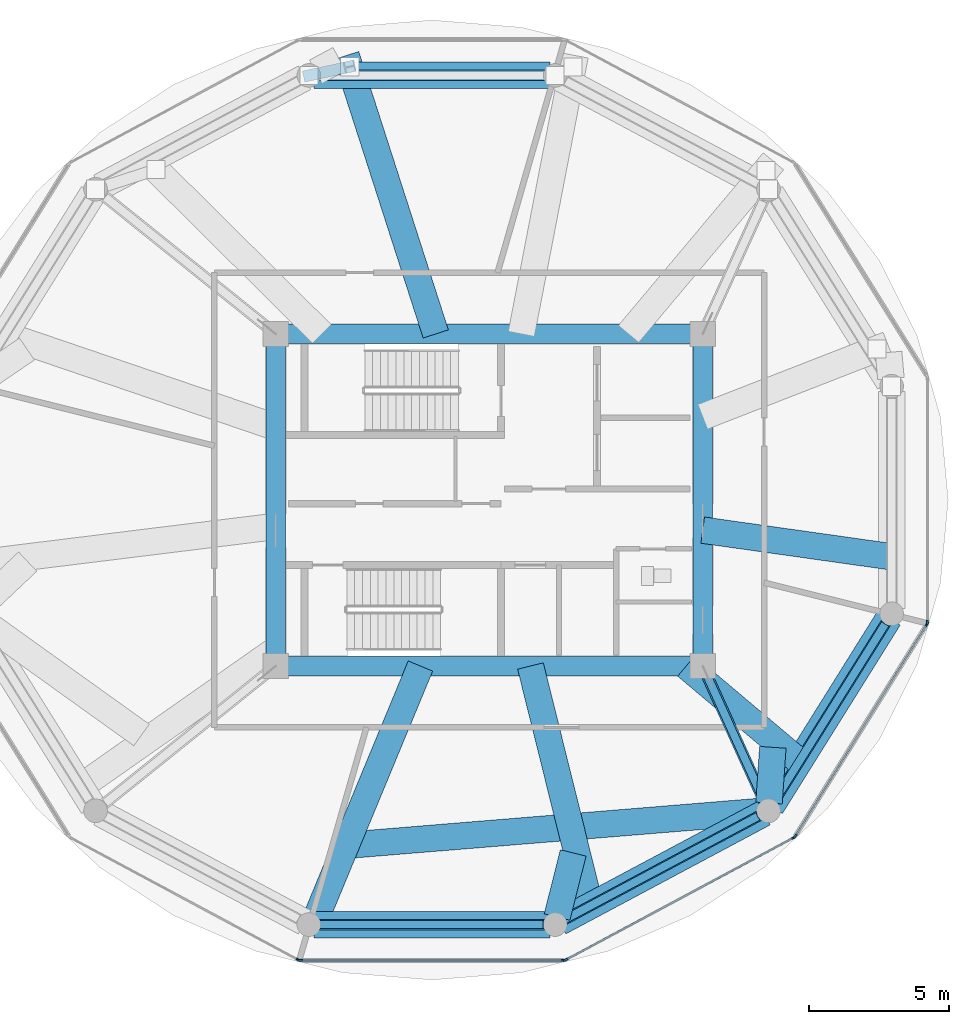
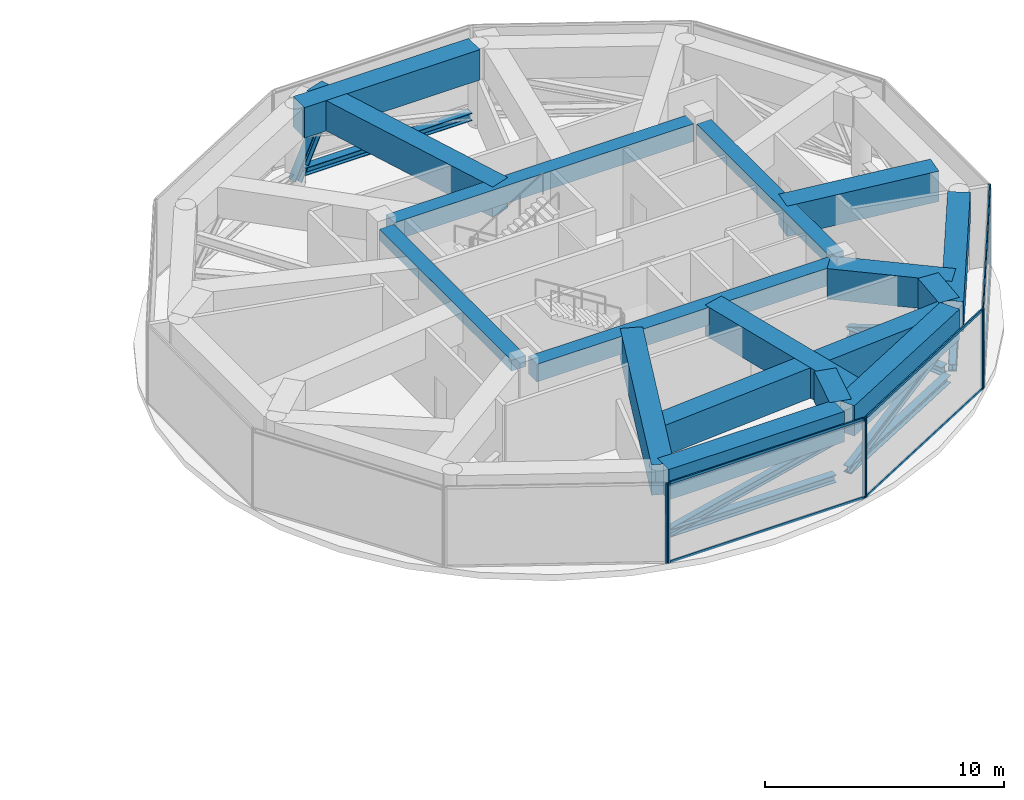
# One storey, part 10 of 23: 24 members, 16 beams, 5 elements without a shape of their own.
"""IFC4 building model written with IfcOpenShell, lengths in metres."""

from ifc_helpers import new_model, si_unit, direction, frame, origin, origin_2d, place, context, subcontext, project, spatial, rectangle, i_section, extrude, source, transform, mapped, material, layer, layer_set, material_profile, profile_set, type_object, type_shapes, element, aggregate, save


model = new_model("IFC4")

# Units and contexts
model_context = context("Model", 3, precision=1e-05, world=origin(), true_north=direction((0.0, 1.0)))
body_context = subcontext(model_context, "Body", "Model", "MODEL_VIEW")
ifc_project = project(units=[si_unit("LENGTHUNIT", "METRE"), si_unit("AREAUNIT", "SQUARE_METRE"), si_unit("VOLUMEUNIT", "CUBIC_METRE"), si_unit("PLANEANGLEUNIT", "RADIAN"), si_unit("MASSUNIT", "GRAM", prefix="KILO")], contexts=[model_context])

# Site, building, storey
site_placement = place(None, origin())
site = spatial("IfcSite", under=ifc_project, at=site_placement, CompositionType="ELEMENT")
building_placement = place(site_placement, origin())
building = spatial("IfcBuilding", under=site, at=building_placement, Name="Norrkilde Senior Care Towers", CompositionType="ELEMENT")
storey_placement = place(building_placement, frame((0.0, 0.0, 129.800048828125)))
storey = spatial("IfcBuildingStorey", under=building, at=storey_placement, Name="L40", CompositionType="ELEMENT", Elevation=129.800048828125)

# Beams
ifc_material_1 = material(Name="Concrete C60/75", Category="concrete")
ifc_material_profile_1 = material_profile(ifc_material_1, rectangle(XDim=0.699951171875, YDim=0.89990234375, at=origin_2d()), Name="RC BM 700x900")
ifc_profile_set_1 = profile_set([ifc_material_profile_1], Name="Concrete C60/75")
beam_type_1 = type_object("IfcBeamType", Name="Core Coupling Girder 700x900", PredefinedType="USERDEFINED", material=ifc_profile_set_1)
shared_shape_1 = source(origin(), body_context, "Body", "SweptSolid", [
    extrude(rectangle(XDim=0.699951171875, YDim=0.89990234375, at=origin_2d()), origin(), (0.0, 0.0, 1.0), 14.43994140625),
])
type_shapes(beam_type_1, [shared_shape_1])
for number, where, z_axis, x_axis, name in (
    (1, (20.780029296875, 5.949951171875, 3.6298828125), (1.0, 0.0, 0.0), (0.0, 1.0, 0.0), "L40 Core E N Coupling Girder"),
    (2, (20.780029296875, -5.949951171875, 3.6298828125), (1.0, 0.0, 0.0), (0.0, 1.0, 0.0), "L40 Core E S Coupling Girder"),
):
    element("IfcBeam", number, at=place(storey_placement, frame(where, z_axis=z_axis, x_axis=x_axis)), inside=storey, type_object=beam_type_1, Name=name, ObjectType="GIRDER", PredefinedType="USERDEFINED", context=body_context, shape_type="MappedRepresentation", body=[
        mapped(shared_shape_1, transform((0.0, 0.0, 0.0), x_axis=(1.0, 0.0, 0.0), y_axis=(0.0, 1.0, 0.0), z_axis=(0.0, 0.0, 1.0), scale=1.0)),
    ])
ifc_material_profile_2 = material_profile(ifc_material_1, rectangle(XDim=0.699951171875, YDim=0.550048828125, at=origin_2d()), Name="RC BM 700x550")
ifc_profile_set_2 = profile_set([ifc_material_profile_2], Name="Concrete C60/75")
beam_type_2 = type_object("IfcBeamType", Name="Core Portal Coupling Beam 700x550", PredefinedType="USERDEFINED", material=ifc_profile_set_2)
shared_shape_2 = source(origin(), body_context, "Body", "SweptSolid", [
    extrude(rectangle(XDim=0.699951171875, YDim=0.550048828125, at=origin_2d()), origin(), (0.0, 0.0, 1.0), 11.0400390625),
])
type_shapes(beam_type_2, [shared_shape_2])
for number, where, z_axis, x_axis, name in (
    (3, (20.35009765625, -5.52001953125, 3.804931640625), (0.0, 1.0, 0.0), (-1.0, 0.0, 0.0), "L40 Core E W Coupling Girder"),
    (4, (35.64990234375, -5.52001953125, 3.804931640625), (0.0, 1.0, 0.0), (-1.0, 0.0, 0.0), "L40 Core E E Coupling Girder"),
):
    element("IfcBeam", number, at=place(storey_placement, frame(where, z_axis=z_axis, x_axis=x_axis)), inside=storey, type_object=beam_type_2, Name=name, ObjectType="GIRDER", PredefinedType="USERDEFINED", context=body_context, shape_type="MappedRepresentation", body=[
        mapped(shared_shape_2, transform((0.0, 0.0, 0.0), x_axis=(1.0, 0.0, 0.0), y_axis=(0.0, 1.0, 0.0), z_axis=(0.0, 0.0, 1.0), scale=1.0)),
    ])
ifc_material_profile_3 = material_profile(ifc_material_1, rectangle(XDim=0.949951171875, YDim=1.550048828125, at=origin_2d()), Name="RC TG 950x1550")
ifc_profile_set_3 = profile_set([ifc_material_profile_3], Name="Concrete C60/75")
beam_type_3 = type_object("IfcBeamType", Name="Transfer Girder Zone Shift 950x1550", PredefinedType="USERDEFINED", material=ifc_profile_set_3)
shared_shape_3 = source(origin(), body_context, "Body", "SweptSolid", [
    extrude(rectangle(XDim=0.949951171875, YDim=1.550048828125, at=origin_2d()), origin(), (0.0, 0.0, 1.0), 8.302490234375),
])
beam_1_placement = place(storey_placement, frame((30.521728515625, -15.128662109375, 3.304931640625), z_axis=(0.882355383182, 0.470583656504, 0.0), x_axis=(-0.470583656504, 0.882355383182, 0.0)))
element("IfcBeam", 5, at=beam_1_placement, inside=storey, type_object=beam_type_3, Name="L40 Drum E Zone Ring Transfer Girder 10", ObjectType="GIRDER", PredefinedType="USERDEFINED", context=body_context, shape_type="MappedRepresentation", body=[
    mapped(shared_shape_3, transform((0.0, 0.0, 0.0), x_axis=(1.0, 0.0, 0.0), y_axis=(0.0, 1.0, 0.0), z_axis=(0.0, 0.0, 1.0), scale=1.0)),
])
shared_shape_4 = source(origin(), body_context, "Body", "SweptSolid", [
    extrude(rectangle(XDim=0.949951171875, YDim=1.550048828125, at=origin_2d()), origin(), (0.0, 0.0, 1.0), 8.4658203125),
])
for number, where, z_axis, x_axis, name in (
    (6, (30.182861328125, 15.21337890625, 3.304931640625), (-1.0, 0.0, 0.0), (0.0, -1.0, 0.0), "L40 Drum E Zone Ring Transfer Girder 03"),
    (7, (21.717041015625, -15.21337890625, 3.304931640625), (1.0, 0.0, 0.0), (0.0, 1.0, 0.0), "L40 Drum E Zone Ring Transfer Girder 09"),
):
    element("IfcBeam", number, at=place(storey_placement, frame(where, z_axis=z_axis, x_axis=x_axis)), inside=storey, type_object=beam_type_3, Name=name, ObjectType="GIRDER", PredefinedType="USERDEFINED", context=body_context, shape_type="MappedRepresentation", body=[
        mapped(shared_shape_4, transform((0.0, 0.0, 0.0), x_axis=(1.0, 0.0, 0.0), y_axis=(0.0, 1.0, 0.0), z_axis=(0.0, 0.0, 1.0), scale=1.0)),
    ])
shared_shape_5 = source(origin(), body_context, "Body", "SweptSolid", [
    extrude(rectangle(XDim=0.949951171875, YDim=1.550048828125, at=origin_2d()), origin(), (0.0, 0.0, 1.0), 7.96630859375),
])
beam_2_placement = place(storey_placement, frame((38.1015625, -10.984375, 3.304931640625), z_axis=(0.530004449515, 0.847994860535, 0.0), x_axis=(-0.847994860535, 0.530004449515, 0.0)))
element("IfcBeam", 8, at=beam_2_placement, inside=storey, type_object=beam_type_3, Name="L40 Drum E Zone Ring Transfer Girder 11", ObjectType="GIRDER", PredefinedType="USERDEFINED", context=body_context, shape_type="MappedRepresentation", body=[
    mapped(shared_shape_5, transform((0.0, 0.0, 0.0), x_axis=(1.0, 0.0, 0.0), y_axis=(0.0, 1.0, 0.0), z_axis=(0.0, 0.0, 1.0), scale=1.0)),
])
shared_shape_6 = source(origin(), body_context, "Body", "SweptSolid", [
    extrude(rectangle(XDim=0.949951171875, YDim=1.550048828125, at=origin_2d()), origin(), (0.0, 0.0, 1.0), 10.48046875),
])
beam_3_placement = place(storey_placement, frame((26.08447265625, 5.949951171875, 3.304931640625), z_axis=(-0.306441217665, 0.951889583994, 0.0), x_axis=(-0.951889583994, -0.306441217665, 0.0)))
element("IfcBeam", 9, at=beam_3_placement, inside=storey, type_object=beam_type_3, Name="L40 Drum E Zone Transfer Girder 04", ObjectType="GIRDER", PredefinedType="USERDEFINED", context=body_context, shape_type="MappedRepresentation", body=[
    mapped(shared_shape_6, transform((0.0, 0.0, 0.0), x_axis=(1.0, 0.0, 0.0), y_axis=(0.0, 1.0, 0.0), z_axis=(0.0, 0.0, 1.0), scale=1.0)),
])

# Member
ifc_material_2 = material(Name="Steel S355", Category="steel")
ifc_material_profile_4 = material_profile(ifc_material_2, i_section(OverallWidth=0.412109375, OverallDepth=0.449951171875, WebThickness=0.028076171875, FlangeThickness=0.044921875, FilletRadius=0.014892578125, at=origin_2d()), Name="HD 400x509")
ifc_profile_set_4 = profile_set([ifc_material_profile_4], Name="Steel S355")
member_type_1 = type_object("IfcMemberType", Name="Pratt Bridge Truss Diagonal HD400x509", PredefinedType="BRACE", material=ifc_profile_set_4)
shared_shape_7 = source(origin(), body_context, "Body", "SweptSolid", [
    extrude(i_section(OverallWidth=0.412109375, OverallDepth=0.449951171875, WebThickness=0.028076171875, FlangeThickness=0.044921875, FilletRadius=0.014892578125, at=origin_2d()), origin(), (0.0, 0.0, 1.0), 3.06982421875),
])
type_shapes(member_type_1, [shared_shape_7])
member_1_placement = place(storey_placement, frame((21.537109375, 15.21337890625, 0.14990234375), z_axis=(0.477003120663, 0.101953651332, 0.872968198652), x_axis=(-0.209016876779, 0.977912033478, 0.0)))
element("IfcMember", 10, at=member_1_placement, inside=storey, type_object=member_type_1, Name="L40 Drum E Zone Transfer Raking Strut 04", PredefinedType="BRACE", context=body_context, shape_type="MappedRepresentation", body=[
    mapped(shared_shape_7, transform((0.0, 0.0, 0.0), x_axis=(1.0, 0.0, 0.0), y_axis=(0.0, 1.0, 0.0), z_axis=(0.0, 0.0, 1.0), scale=1.0)),
])

# Beams
shared_shape_8 = source(origin(), body_context, "Body", "SweptSolid", [
    extrude(rectangle(XDim=0.949951171875, YDim=1.550048828125, at=origin_2d()), origin(), (0.0, 0.0, 1.0), 6.836181640625),
])
beam_4_placement = place(storey_placement, frame((35.64990234375, -1.079833984375, 3.304931640625), z_axis=(0.990187355889, -0.139746199365, 0.0), x_axis=(0.139746199365, 0.990187355889, 0.0)))
element("IfcBeam", 11, at=beam_4_placement, inside=storey, type_object=beam_type_3, Name="L40 Drum E Zone Transfer Girder 12", ObjectType="GIRDER", PredefinedType="USERDEFINED", context=body_context, shape_type="MappedRepresentation", body=[
    mapped(shared_shape_8, transform((0.0, 0.0, 0.0), x_axis=(1.0, 0.0, 0.0), y_axis=(0.0, 1.0, 0.0), z_axis=(0.0, 0.0, 1.0), scale=1.0)),
])
shared_shape_9 = source(origin(), body_context, "Body", "SweptSolid", [
    extrude(rectangle(XDim=0.949951171875, YDim=1.550048828125, at=origin_2d()), origin(), (0.0, 0.0, 1.0), 5.302001953125),
])
beam_5_placement = place(storey_placement, frame((35.058349609375, -5.949951171875, 3.304931640625), z_axis=(0.764555247577, -0.644558200167, 0.0), x_axis=(0.644558200167, 0.764555247577, 0.0)))
element("IfcBeam", 12, at=beam_5_placement, inside=storey, type_object=beam_type_3, Name="L40 Drum E Zone Transfer Girder 11", ObjectType="GIRDER", PredefinedType="USERDEFINED", context=body_context, shape_type="MappedRepresentation", body=[
    mapped(shared_shape_9, transform((0.0, 0.0, 0.0), x_axis=(1.0, 0.0, 0.0), y_axis=(0.0, 1.0, 0.0), z_axis=(0.0, 0.0, 1.0), scale=1.0)),
])
shared_shape_10 = source(origin(), body_context, "Body", "SweptSolid", [
    extrude(rectangle(XDim=0.949951171875, YDim=1.550048828125, at=origin_2d()), origin(), (0.0, 0.0, 1.0), 1.99951171875),
])
beam_6_placement = place(storey_placement, frame((38.163330078125, -8.863037109375, 3.304931640625), z_axis=(-0.068990670425, -0.99761730508, 0.0), x_axis=(0.99761730508, -0.068990670425, 0.0)))
element("IfcBeam", 13, at=beam_6_placement, inside=storey, type_object=beam_type_3, Name="L40 Drum E Zone Star Transfer Tie 11", ObjectType="GIRDER", PredefinedType="USERDEFINED", context=body_context, shape_type="MappedRepresentation", body=[
    mapped(shared_shape_10, transform((0.0, 0.0, 0.0), x_axis=(1.0, 0.0, 0.0), y_axis=(0.0, 1.0, 0.0), z_axis=(0.0, 0.0, 1.0), scale=1.0)),
])
shared_shape_11 = source(origin(), body_context, "Body", "SweptSolid", [
    extrude(rectangle(XDim=0.949951171875, YDim=1.550048828125, at=origin_2d()), origin(), (0.0, 0.0, 1.0), 8.8564453125),
])
beam_7_placement = place(storey_placement, frame((29.4794921875, -5.949951171875, 3.304931640625), z_axis=(0.241316026842, -0.970446585439, 0.0), x_axis=(0.970446585439, 0.241316026842, 0.0)))
element("IfcBeam", 14, at=beam_7_placement, inside=storey, type_object=beam_type_3, Name="L40 Drum E Zone Transfer Girder 10", ObjectType="GIRDER", PredefinedType="USERDEFINED", context=body_context, shape_type="MappedRepresentation", body=[
    mapped(shared_shape_11, transform((0.0, 0.0, 0.0), x_axis=(1.0, 0.0, 0.0), y_axis=(0.0, 1.0, 0.0), z_axis=(0.0, 0.0, 1.0), scale=1.0)),
])
shared_shape_12 = source(origin(), body_context, "Body", "SweptSolid", [
    extrude(rectangle(XDim=0.949951171875, YDim=1.550048828125, at=origin_2d()), origin(), (0.0, 0.0, 1.0), 2.366455078125),
])
beam_8_placement = place(storey_placement, frame((31.009033203125, -12.64697265625, 3.304931640625), z_axis=(-0.244185875604, -0.969728445574, 0.0), x_axis=(0.969728445574, -0.244185875604, 0.0)))
element("IfcBeam", 15, at=beam_8_placement, inside=storey, type_object=beam_type_3, Name="L40 Drum E Zone Star Transfer Tie 10", ObjectType="GIRDER", PredefinedType="USERDEFINED", context=body_context, shape_type="MappedRepresentation", body=[
    mapped(shared_shape_12, transform((0.0, 0.0, 0.0), x_axis=(1.0, 0.0, 0.0), y_axis=(0.0, 1.0, 0.0), z_axis=(0.0, 0.0, 1.0), scale=1.0)),
])
shared_shape_13 = source(origin(), body_context, "Body", "SweptSolid", [
    extrude(rectangle(XDim=0.949951171875, YDim=1.550048828125, at=origin_2d()), origin(), (0.0, 0.0, 1.0), 10.027099609375),
])
beam_9_placement = place(storey_placement, frame((25.534912109375, -5.949951171875, 3.304931640625), z_axis=(-0.382756062331, -0.923849444849, 0.0), x_axis=(0.923849444849, -0.382756062331, 0.0)))
element("IfcBeam", 16, at=beam_9_placement, inside=storey, type_object=beam_type_3, Name="L40 Drum E Zone Transfer Girder 09", ObjectType="GIRDER", PredefinedType="USERDEFINED", context=body_context, shape_type="MappedRepresentation", body=[
    mapped(shared_shape_13, transform((0.0, 0.0, 0.0), x_axis=(1.0, 0.0, 0.0), y_axis=(0.0, 1.0, 0.0), z_axis=(0.0, 0.0, 1.0), scale=1.0)),
])

# Members
ifc_material_profile_5 = material_profile(ifc_material_2, i_section(OverallWidth=0.300048828125, OverallDepth=0.39990234375, WebThickness=0.013427734375, FlangeThickness=0.02392578125, FilletRadius=0.027099609375, at=origin_2d()), Name="HEB 400")
ifc_profile_set_5 = profile_set([ifc_material_profile_5], Name="Steel S355")
member_type_2 = type_object("IfcMemberType", Name="Belt Truss Diagonal HEB400", PredefinedType="BRACE", material=ifc_profile_set_5)
shared_shape_14 = source(origin(), body_context, "Body", "SweptSolid", [
    extrude(i_section(OverallWidth=0.300048828125, OverallDepth=0.39990234375, WebThickness=0.013427734375, FlangeThickness=0.02392578125, FilletRadius=0.027099609375, at=origin_2d()), origin(), (0.0, 0.0, 1.0), 7.798828125),
])
member_2_placement = place(storey_placement, frame((38.210205078125, -10.810546875, 0.550048828125), z_axis=(0.513520239082, 0.821619860701, 0.247462660933), x_axis=(-0.847994673706, 0.530004748437, 0.0)))
element("IfcMember", 17, at=member_2_placement, inside=storey, type_object=member_type_2, Name="L40 Drum E Belt Truss Diagonal 11", PredefinedType="BRACE", context=body_context, shape_type="MappedRepresentation", body=[
    mapped(shared_shape_14, transform((0.0, 0.0, 0.0), x_axis=(1.0, 0.0, 0.0), y_axis=(0.0, 1.0, 0.0), z_axis=(0.0, 0.0, 1.0), scale=1.0)),
])
ifc_material_profile_6 = material_profile(ifc_material_2, i_section(OverallWidth=0.3740234375, OverallDepth=0.386962890625, WebThickness=0.01611328125, FlangeThickness=0.027099609375, FilletRadius=0.014892578125, at=origin_2d()), Name="HD 360x262")
ifc_profile_set_6 = profile_set([ifc_material_profile_6], Name="Steel S355")
member_type_3 = type_object("IfcMemberType", Name="Belt Truss Ring Chord HD360x262", PredefinedType="CHORD", material=ifc_profile_set_6)
shared_shape_15 = source(origin(), body_context, "Body", "SweptSolid", [
    extrude(i_section(OverallWidth=0.3740234375, OverallDepth=0.386962890625, WebThickness=0.01611328125, FlangeThickness=0.027099609375, FilletRadius=0.014892578125, at=origin_2d()), origin(), (0.0, 0.0, 1.0), 7.892333984375),
])
member_3_placement = place(storey_placement, frame((30.70263671875, -15.0322265625, 0.550048828125), z_axis=(0.882350372282, 0.47059305194, 0.0), x_axis=(-0.47059305194, 0.882350372282, 0.0)))
element("IfcMember", 18, at=member_3_placement, inside=storey, type_object=member_type_3, Name="L40 Drum E Belt Truss Bottom Chord 10", PredefinedType="CHORD", context=body_context, shape_type="MappedRepresentation", body=[
    mapped(shared_shape_15, transform((0.0, 0.0, 0.0), x_axis=(1.0, 0.0, 0.0), y_axis=(0.0, 1.0, 0.0), z_axis=(0.0, 0.0, 1.0), scale=1.0)),
])
shared_shape_16 = source(origin(), body_context, "Body", "SweptSolid", [
    extrude(i_section(OverallWidth=0.300048828125, OverallDepth=0.39990234375, WebThickness=0.013427734375, FlangeThickness=0.02392578125, FilletRadius=0.027099609375, at=origin_2d()), origin(), (0.0, 0.0, 1.0), 8.125),
])
member_4_placement = place(storey_placement, frame((30.70263671875, -15.0322265625, 0.550048828125), z_axis=(0.85709731652, 0.457124578468, 0.237531702675), x_axis=(-0.47059305194, 0.882350372282, 0.0)))
element("IfcMember", 19, at=member_4_placement, inside=storey, type_object=member_type_2, Name="L40 Drum E Belt Truss Diagonal 10", PredefinedType="BRACE", context=body_context, shape_type="MappedRepresentation", body=[
    mapped(shared_shape_16, transform((0.0, 0.0, 0.0), x_axis=(1.0, 0.0, 0.0), y_axis=(0.0, 1.0, 0.0), z_axis=(0.0, 0.0, 1.0), scale=1.0)),
])
shared_shape_17 = source(origin(), body_context, "Body", "SweptSolid", [
    extrude(i_section(OverallWidth=0.3740234375, OverallDepth=0.386962890625, WebThickness=0.01611328125, FlangeThickness=0.027099609375, FilletRadius=0.014892578125, at=origin_2d()), origin(), (0.0, 0.0, 1.0), 8.0556640625),
])
for number, where, z_axis, x_axis, name in (
    (20, (29.977783203125, 15.21337890625, 0.550048828125), (-1.0, 0.0, 0.0), (0.0, -1.0, 0.0), "L40 Drum E Belt Truss Bottom Chord 03"),
    (21, (21.922119140625, -15.21337890625, 0.550048828125), (1.0, 0.0, 0.0), (0.0, 1.0, 0.0), "L40 Drum E Belt Truss Bottom Chord 09"),
):
    element("IfcMember", number, at=place(storey_placement, frame(where, z_axis=z_axis, x_axis=x_axis)), inside=storey, type_object=member_type_3, Name=name, PredefinedType="CHORD", context=body_context, shape_type="MappedRepresentation", body=[
        mapped(shared_shape_17, transform((0.0, 0.0, 0.0), x_axis=(1.0, 0.0, 0.0), y_axis=(0.0, 1.0, 0.0), z_axis=(0.0, 0.0, 1.0), scale=1.0)),
    ])
shared_shape_18 = source(origin(), body_context, "Body", "SweptSolid", [
    extrude(i_section(OverallWidth=0.300048828125, OverallDepth=0.39990234375, WebThickness=0.013427734375, FlangeThickness=0.02392578125, FilletRadius=0.027099609375, at=origin_2d()), origin(), (0.0, 0.0, 1.0), 8.28369140625),
])
type_shapes(member_type_2, [shared_shape_14, shared_shape_16, shared_shape_18])
member_5_placement = place(storey_placement, frame((21.922119140625, -15.21337890625, 0.550048828125), z_axis=(0.972481125687, 0.0, 0.232981673492), x_axis=(0.0, 1.0, 0.0)))
element("IfcMember", 22, at=member_5_placement, inside=storey, type_object=member_type_2, Name="L40 Drum E Belt Truss Diagonal 09", PredefinedType="BRACE", context=body_context, shape_type="MappedRepresentation", body=[
    mapped(shared_shape_18, transform((0.0, 0.0, 0.0), x_axis=(1.0, 0.0, 0.0), y_axis=(0.0, 1.0, 0.0), z_axis=(0.0, 0.0, 1.0), scale=1.0)),
])
shared_shape_19 = source(origin(), body_context, "Body", "SweptSolid", [
    extrude(i_section(OverallWidth=0.3740234375, OverallDepth=0.386962890625, WebThickness=0.01611328125, FlangeThickness=0.027099609375, FilletRadius=0.014892578125, at=origin_2d()), origin(), (0.0, 0.0, 1.0), 7.556396484375),
])
type_shapes(member_type_3, [shared_shape_15, shared_shape_17, shared_shape_19])
member_6_placement = place(storey_placement, frame((38.210205078125, -10.810546875, 0.550048828125), z_axis=(0.530004748437, 0.847994673706, 0.0), x_axis=(-0.847994673706, 0.530004748437, 0.0)))
element("IfcMember", 23, at=member_6_placement, inside=storey, type_object=member_type_3, Name="L40 Drum E Belt Truss Bottom Chord 11", PredefinedType="CHORD", context=body_context, shape_type="MappedRepresentation", body=[
    mapped(shared_shape_19, transform((0.0, 0.0, 0.0), x_axis=(1.0, 0.0, 0.0), y_axis=(0.0, 1.0, 0.0), z_axis=(0.0, 0.0, 1.0), scale=1.0)),
])
ifc_material_profile_7 = material_profile(ifc_material_2, i_section(OverallWidth=0.402099609375, OverallDepth=0.419921875, WebThickness=0.02001953125, FlangeThickness=0.032958984375, FilletRadius=0.014892578125, at=origin_2d()), Name="HD 400x347")
ifc_profile_set_7 = profile_set([ifc_material_profile_7], Name="Steel S355")
member_type_4 = type_object("IfcMemberType", Name="Outrigger Truss Chord HD400x347", PredefinedType="CHORD", material=ifc_profile_set_7)
shared_shape_20 = source(origin(), body_context, "Body", "SweptSolid", [
    extrude(i_section(OverallWidth=0.402099609375, OverallDepth=0.419921875, WebThickness=0.02001953125, FlangeThickness=0.032958984375, FilletRadius=0.014892578125, at=origin_2d()), origin(), (0.0, 0.0, 1.0), 4.902099609375),
])
type_shapes(member_type_4, [shared_shape_20])
member_7_placement = place(storey_placement, frame((35.819580078125, -6.3232421875, 0.550048828125), z_axis=(0.413574036598, -0.910470491697, 0.0), x_axis=(0.910470491697, 0.413574036598, 0.0)))
element("IfcMember", 24, at=member_7_placement, inside=storey, type_object=member_type_4, Name="L40 Drum E Outrigger Chord 2", PredefinedType="CHORD", context=body_context, shape_type="MappedRepresentation", body=[
    mapped(shared_shape_20, transform((0.0, 0.0, 0.0), x_axis=(1.0, 0.0, 0.0), y_axis=(0.0, 1.0, 0.0), z_axis=(0.0, 0.0, 1.0), scale=1.0)),
])
ifc_material_profile_8 = material_profile(ifc_material_2, i_section(OverallWidth=0.300048828125, OverallDepth=0.5, WebThickness=0.014404296875, FlangeThickness=0.028076171875, FilletRadius=0.027099609375, at=origin_2d()), Name="HEB 500")
ifc_profile_set_8 = profile_set([ifc_material_profile_8], Name="Steel S355")
member_type_5 = type_object("IfcMemberType", Name="Outrigger Truss Diagonal HEB500", PredefinedType="BRACE", material=ifc_profile_set_8)
shared_shape_21 = source(origin(), body_context, "Body", "SweptSolid", [
    extrude(i_section(OverallWidth=0.300048828125, OverallDepth=0.5, WebThickness=0.014404296875, FlangeThickness=0.028076171875, FilletRadius=0.027099609375, at=origin_2d()), origin(), (0.0, 0.0, 1.0), 5.268310546875),
])
type_shapes(member_type_5, [shared_shape_21])
member_8_placement = place(storey_placement, frame((35.819580078125, -6.3232421875, 0.550048828125), z_axis=(0.384823878835, -0.847177905707, 0.36633342512), x_axis=(0.910470491697, 0.413574036598, 0.0)))
element("IfcMember", 25, at=member_8_placement, inside=storey, type_object=member_type_5, Name="L40 Drum E Outrigger Diagonal 2", PredefinedType="BRACE", context=body_context, shape_type="MappedRepresentation", body=[
    mapped(shared_shape_21, transform((0.0, 0.0, 0.0), x_axis=(1.0, 0.0, 0.0), y_axis=(0.0, 1.0, 0.0), z_axis=(0.0, 0.0, 1.0), scale=1.0)),
])

# Beam
shared_shape_22 = source(origin(), body_context, "Body", "SweptSolid", [
    extrude(rectangle(XDim=0.949951171875, YDim=1.550048828125, at=origin_2d()), origin(), (0.0, 0.0, 1.0), 14.6240234375),
])
type_shapes(beam_type_3, [shared_shape_3, shared_shape_4, shared_shape_5, shared_shape_6, shared_shape_8, shared_shape_9, shared_shape_10, shared_shape_11, shared_shape_12, shared_shape_13, shared_shape_22])
beam_10_placement = place(storey_placement, frame((23.15185546875, -12.3525390625, 3.304931640625), z_axis=(0.996667630179, 0.081569816433, 0.0), x_axis=(-0.081569816433, 0.996667630179, 0.0)))
element("IfcBeam", 26, at=beam_10_placement, inside=storey, type_object=beam_type_3, Name="L40 Drum E Zone Star Transfer Tie 09", ObjectType="GIRDER", PredefinedType="USERDEFINED", context=body_context, shape_type="MappedRepresentation", body=[
    mapped(shared_shape_22, transform((0.0, 0.0, 0.0), x_axis=(1.0, 0.0, 0.0), y_axis=(0.0, 1.0, 0.0), z_axis=(0.0, 0.0, 1.0), scale=1.0)),
])

# Curtain wall, member
ifc_material_3 = material(Name="Triple Low-E Insulated Glazing", Category="glass")
ifc_layer = layer(ifc_material_3, 0.18505859375)
ifc_layer_set = layer_set([ifc_layer], Name="Triple Low-E Insulated Glazing")
curtain_wall_type = type_object("IfcCurtainWallType", Name="CW6 Zone 4 Crown Pavilion Curtain Wall", PredefinedType="NOTDEFINED", material=ifc_layer_set)
curtain_wall_1_placement = place(storey_placement, origin())
curtain_wall_1 = element("IfcCurtainWall", 27, at=curtain_wall_1_placement, inside=storey, type_object=curtain_wall_type, Name="L40 Drum E Curtain Wall 07", PredefinedType="NOTDEFINED")
ifc_material_4 = material(Name="Anodised Aluminium", Category="aluminium")
ifc_material_profile_9 = material_profile(ifc_material_4, rectangle(XDim=0.070068359375, YDim=0.169921875, at=origin_2d()), Name="ALU MULL 70x170")
ifc_profile_set_9 = profile_set([ifc_material_profile_9], Name="Anodised Aluminium")
member_type_6 = type_object("IfcMemberType", Name="Curtain Wall Mullion Heavy 70x170", PredefinedType="MULLION", material=ifc_profile_set_9)
shared_shape_23 = source(origin(), body_context, "Body", "SweptSolid", [
    extrude(rectangle(XDim=0.070068359375, YDim=0.169921875, at=origin_2d()), origin(), (0.0, 0.0, 1.0), 4.079833984375),
])
type_shapes(member_type_6, [shared_shape_23])
member_9_placement = place(storey_placement, frame((21.162109375, -16.4814453125, 0.0), z_axis=(0.0, 0.0, 1.0), x_axis=(-0.472769402511, -0.881186184668, 0.0)))
member_9 = element("IfcMember", 28, at=member_9_placement, type_object=member_type_6, Name="CW-6 mullion 1", PredefinedType="MULLION", context=body_context, shape_type="MappedRepresentation", body=[
    mapped(shared_shape_23, transform((0.0, 0.0, 0.0), x_axis=(1.0, 0.0, 0.0), y_axis=(0.0, 1.0, 0.0), z_axis=(0.0, 0.0, 1.0), scale=1.0)),
])
aggregate(curtain_wall_1, [member_9])

# Curtain wall, members
curtain_wall_2_placement = place(storey_placement, origin())
curtain_wall_2 = element("IfcCurtainWall", 29, at=curtain_wall_2_placement, inside=storey, type_object=curtain_wall_type, Name="L40 Drum E Curtain Wall 08", PredefinedType="NOTDEFINED")
member_10_placement = place(storey_placement, frame((30.672119140625, -16.498046875, 0.0), z_axis=(0.0, 0.0, 1.0), x_axis=(0.0, -1.0, 0.0)))
member_10 = element("IfcMember", 30, at=member_10_placement, type_object=member_type_6, Name="CW-6 mullion 1", PredefinedType="MULLION", context=body_context, shape_type="MappedRepresentation", body=[
    mapped(shared_shape_23, transform((0.0, 0.0, 0.0), x_axis=(1.0, 0.0, 0.0), y_axis=(0.0, 1.0, 0.0), z_axis=(0.0, 0.0, 1.0), scale=1.0)),
])
member_11_placement = place(storey_placement, frame((21.22802734375, -16.498046875, 0.0), z_axis=(0.0, 0.0, 1.0), x_axis=(0.0, -1.0, 0.0)))
member_11 = element("IfcMember", 31, at=member_11_placement, type_object=member_type_6, Name="CW-6 mullion 2", PredefinedType="MULLION", context=body_context, shape_type="MappedRepresentation", body=[
    mapped(shared_shape_23, transform((0.0, 0.0, 0.0), x_axis=(1.0, 0.0, 0.0), y_axis=(0.0, 1.0, 0.0), z_axis=(0.0, 0.0, 1.0), scale=1.0)),
])

curtain_wall_3_placement = place(storey_placement, origin())
curtain_wall_3 = element("IfcCurtainWall", 32, at=curtain_wall_3_placement, inside=storey, type_object=curtain_wall_type, Name="L40 Drum E Curtain Wall 09", PredefinedType="NOTDEFINED")
member_12_placement = place(storey_placement, frame((38.915771484375, -12.093994140625, 0.0), z_axis=(0.0, 0.0, 1.0), x_axis=(0.472769402511, -0.881186184668, 0.0)))
member_12 = element("IfcMember", 33, at=member_12_placement, type_object=member_type_6, Name="CW-6 mullion 1", PredefinedType="MULLION", context=body_context, shape_type="MappedRepresentation", body=[
    mapped(shared_shape_23, transform((0.0, 0.0, 0.0), x_axis=(1.0, 0.0, 0.0), y_axis=(0.0, 1.0, 0.0), z_axis=(0.0, 0.0, 1.0), scale=1.0)),
])
member_13_placement = place(storey_placement, frame((30.738037109375, -16.4814453125, 0.0), z_axis=(0.0, 0.0, 1.0), x_axis=(0.472769402511, -0.881186184668, 0.0)))
member_13 = element("IfcMember", 34, at=member_13_placement, type_object=member_type_6, Name="CW-6 mullion 2", PredefinedType="MULLION", context=body_context, shape_type="MappedRepresentation", body=[
    mapped(shared_shape_23, transform((0.0, 0.0, 0.0), x_axis=(1.0, 0.0, 0.0), y_axis=(0.0, 1.0, 0.0), z_axis=(0.0, 0.0, 1.0), scale=1.0)),
])

curtain_wall_4_placement = place(storey_placement, origin())
curtain_wall_4 = element("IfcCurtainWall", 35, at=curtain_wall_4_placement, inside=storey, type_object=curtain_wall_type, Name="L40 Drum E Curtain Wall 10", PredefinedType="NOTDEFINED")
member_14_placement = place(storey_placement, frame((43.685302734375, -4.450439453125, 0.0), z_axis=(0.0, 0.0, 1.0), x_axis=(0.849410171862, -0.527733228002, 0.0)))
member_14 = element("IfcMember", 36, at=member_14_placement, type_object=member_type_6, Name="CW-6 mullion 1", PredefinedType="MULLION", context=body_context, shape_type="MappedRepresentation", body=[
    mapped(shared_shape_23, transform((0.0, 0.0, 0.0), x_axis=(1.0, 0.0, 0.0), y_axis=(0.0, 1.0, 0.0), z_axis=(0.0, 0.0, 1.0), scale=1.0)),
])
member_15_placement = place(storey_placement, frame((38.965087890625, -12.047607421875, 0.0), z_axis=(0.0, 0.0, 1.0), x_axis=(0.849410171862, -0.527733228002, 0.0)))
member_15 = element("IfcMember", 37, at=member_15_placement, type_object=member_type_6, Name="CW-6 mullion 2", PredefinedType="MULLION", context=body_context, shape_type="MappedRepresentation", body=[
    mapped(shared_shape_23, transform((0.0, 0.0, 0.0), x_axis=(1.0, 0.0, 0.0), y_axis=(0.0, 1.0, 0.0), z_axis=(0.0, 0.0, 1.0), scale=1.0)),
])

# Curtain wall, member
curtain_wall_5_placement = place(storey_placement, origin())
curtain_wall_5 = element("IfcCurtainWall", 38, at=curtain_wall_5_placement, inside=storey, type_object=curtain_wall_type, Name="L40 Drum E Curtain Wall 11", PredefinedType="NOTDEFINED")
member_16_placement = place(storey_placement, frame((43.70361328125, -4.3857421875, 0.0), z_axis=(0.0, 0.0, 1.0), x_axis=(1.0, 0.0, 0.0)))
member_16 = element("IfcMember", 39, at=member_16_placement, type_object=member_type_6, Name="CW-6 mullion 2", PredefinedType="MULLION", context=body_context, shape_type="MappedRepresentation", body=[
    mapped(shared_shape_23, transform((0.0, 0.0, 0.0), x_axis=(1.0, 0.0, 0.0), y_axis=(0.0, 1.0, 0.0), z_axis=(0.0, 0.0, 1.0), scale=1.0)),
])
aggregate(curtain_wall_5, [member_16])

# Member
ifc_material_profile_10 = material_profile(ifc_material_4, rectangle(XDim=0.06494140625, YDim=0.1298828125, at=origin_2d()), Name="ALU TRAN 65x130")
ifc_profile_set_10 = profile_set([ifc_material_profile_10], Name="Anodised Aluminium")
member_type_7 = type_object("IfcMemberType", Name="Curtain Wall Transom Heavy 65x130", PredefinedType="USERDEFINED", material=ifc_profile_set_10)
shared_shape_24 = source(origin(), body_context, "Body", "SweptSolid", [
    extrude(rectangle(XDim=0.06494140625, YDim=0.1298828125, at=origin_2d()), origin(), (0.0, 0.0, 1.0), 8.874267578125),
])
member_17_placement = place(storey_placement, frame((43.666748046875, -4.47998046875, 0.032470703125), z_axis=(-0.527724406415, -0.849415652595, 0.0), x_axis=(0.849415652595, -0.527724406415, 0.0)))
member_17 = element("IfcMember", 40, at=member_17_placement, type_object=member_type_7, Name="CW-6 transom 1.1", ObjectType="TRANSOM", PredefinedType="USERDEFINED", context=body_context, shape_type="MappedRepresentation", body=[
    mapped(shared_shape_24, transform((0.0, 0.0, 0.0), x_axis=(1.0, 0.0, 0.0), y_axis=(0.0, 1.0, 0.0), z_axis=(0.0, 0.0, 1.0), scale=1.0)),
])

member_18_placement = place(storey_placement, frame((43.666748046875, -4.47998046875, 4.04736328125), z_axis=(-0.527724406415, -0.849415652595, 0.0), x_axis=(0.849415652595, -0.527724406415, 0.0)))
member_18 = element("IfcMember", 41, at=member_18_placement, type_object=member_type_7, Name="CW-6 transom 1.2", ObjectType="TRANSOM", PredefinedType="USERDEFINED", context=body_context, shape_type="MappedRepresentation", body=[
    mapped(shared_shape_24, transform((0.0, 0.0, 0.0), x_axis=(1.0, 0.0, 0.0), y_axis=(0.0, 1.0, 0.0), z_axis=(0.0, 0.0, 1.0), scale=1.0)),
])

aggregate(curtain_wall_4, [member_14, member_15, member_17, member_18])

shared_shape_25 = source(origin(), body_context, "Body", "SweptSolid", [
    extrude(rectangle(XDim=0.06494140625, YDim=0.1298828125, at=origin_2d()), origin(), (0.0, 0.0, 1.0), 9.374267578125),
])
member_19_placement = place(storey_placement, frame((30.63720703125, -16.498046875, 0.032470703125), z_axis=(-1.0, 0.0, 0.0), x_axis=(0.0, -1.0, 0.0)))
member_19 = element("IfcMember", 42, at=member_19_placement, type_object=member_type_7, Name="CW-6 transom 1.1", ObjectType="TRANSOM", PredefinedType="USERDEFINED", context=body_context, shape_type="MappedRepresentation", body=[
    mapped(shared_shape_25, transform((0.0, 0.0, 0.0), x_axis=(1.0, 0.0, 0.0), y_axis=(0.0, 1.0, 0.0), z_axis=(0.0, 0.0, 1.0), scale=1.0)),
])

member_20_placement = place(storey_placement, frame((30.63720703125, -16.498046875, 4.04736328125), z_axis=(-1.0, 0.0, 0.0), x_axis=(0.0, -1.0, 0.0)))
member_20 = element("IfcMember", 43, at=member_20_placement, type_object=member_type_7, Name="CW-6 transom 1.2", ObjectType="TRANSOM", PredefinedType="USERDEFINED", context=body_context, shape_type="MappedRepresentation", body=[
    mapped(shared_shape_25, transform((0.0, 0.0, 0.0), x_axis=(1.0, 0.0, 0.0), y_axis=(0.0, 1.0, 0.0), z_axis=(0.0, 0.0, 1.0), scale=1.0)),
])

aggregate(curtain_wall_2, [member_10, member_11, member_19, member_20])

shared_shape_26 = source(origin(), body_context, "Body", "SweptSolid", [
    extrude(rectangle(XDim=0.06494140625, YDim=0.1298828125, at=origin_2d()), origin(), (0.0, 0.0, 1.0), 9.21044921875),
])
type_shapes(member_type_7, [shared_shape_24, shared_shape_25, shared_shape_26])
member_21_placement = place(storey_placement, frame((38.885009765625, -12.110595703125, 0.032470703125), z_axis=(-0.881196089669, -0.472750940297, 0.0), x_axis=(0.472750940297, -0.881196089669, 0.0)))
member_21 = element("IfcMember", 44, at=member_21_placement, type_object=member_type_7, Name="CW-6 transom 1.1", ObjectType="TRANSOM", PredefinedType="USERDEFINED", context=body_context, shape_type="MappedRepresentation", body=[
    mapped(shared_shape_26, transform((0.0, 0.0, 0.0), x_axis=(1.0, 0.0, 0.0), y_axis=(0.0, 1.0, 0.0), z_axis=(0.0, 0.0, 1.0), scale=1.0)),
])

member_22_placement = place(storey_placement, frame((38.885009765625, -12.110595703125, 4.04736328125), z_axis=(-0.881196089669, -0.472750940297, 0.0), x_axis=(0.472750940297, -0.881196089669, 0.0)))
member_22 = element("IfcMember", 45, at=member_22_placement, type_object=member_type_7, Name="CW-6 transom 1.2", ObjectType="TRANSOM", PredefinedType="USERDEFINED", context=body_context, shape_type="MappedRepresentation", body=[
    mapped(shared_shape_26, transform((0.0, 0.0, 0.0), x_axis=(1.0, 0.0, 0.0), y_axis=(0.0, 1.0, 0.0), z_axis=(0.0, 0.0, 1.0), scale=1.0)),
])

aggregate(curtain_wall_3, [member_12, member_13, member_21, member_22])

save(model, "model.ifc")
